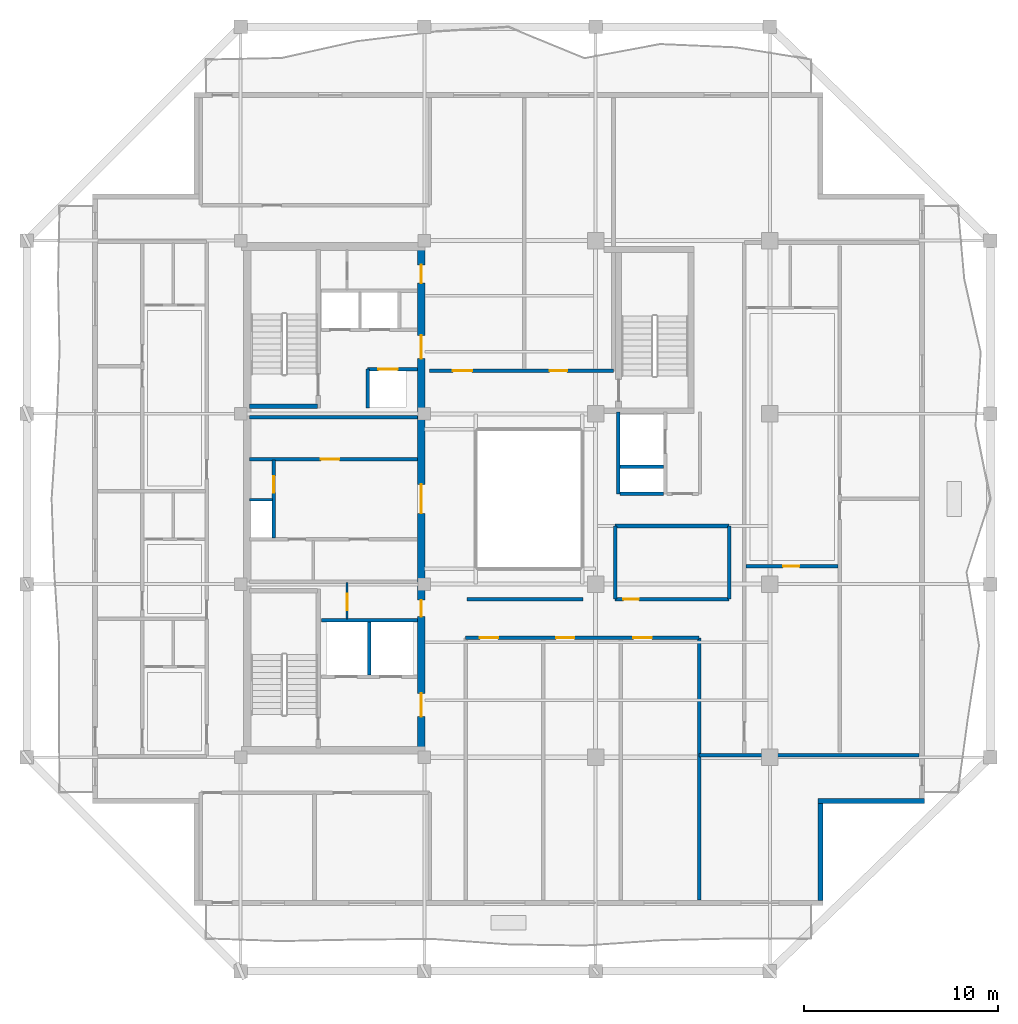
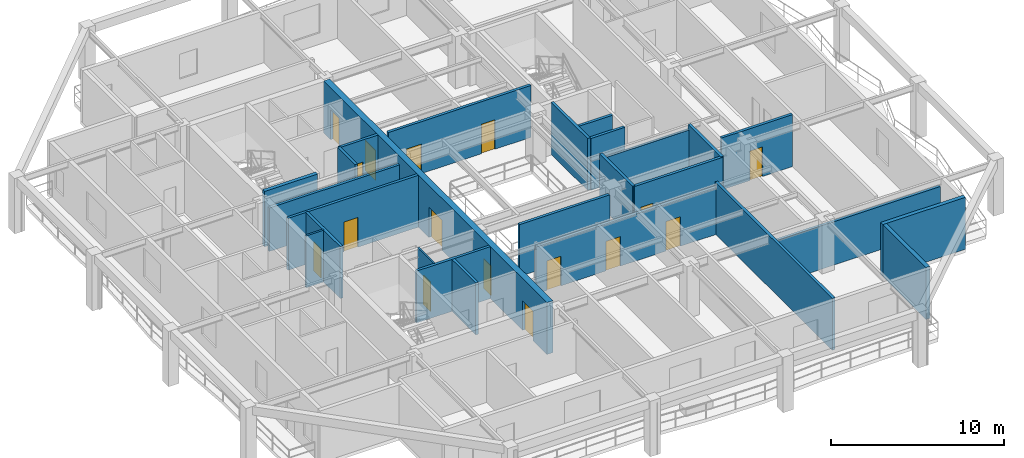
# One storey, part 4 of 11: 26 walls, 16 doors, 16 openings.
"""IFC4 building model written with IfcOpenShell, lengths in metres."""

from ifc_helpers import new_model, si_unit, direction, frame, frame_2d, origin, place, context, subcontext, project, spatial, rectangle, extrude, material, layer, layer_set, type_object, element, fill, save


model = new_model("IFC4")

# Units and contexts
model_context = context("Model", 3, precision=1e-05, world=origin(), true_north=direction((0.0, 1.0)))
body_context = subcontext(model_context, "Body", "Model", "MODEL_VIEW")
ifc_project = project(units=[si_unit("LENGTHUNIT", "METRE"), si_unit("AREAUNIT", "SQUARE_METRE"), si_unit("VOLUMEUNIT", "CUBIC_METRE"), si_unit("PLANEANGLEUNIT", "RADIAN"), si_unit("MASSUNIT", "GRAM", prefix="KILO")], contexts=[model_context])

# Site, building, storey
site_placement = place(None, origin())
site = spatial("IfcSite", under=ifc_project, at=site_placement, CompositionType="ELEMENT")
building_placement = place(site_placement, origin())
building = spatial("IfcBuilding", under=site, at=building_placement, Name="Kundavana Baori Tower", CompositionType="ELEMENT")
storey_placement = place(building_placement, frame((0.0, 0.0, 264.800048828125)))
storey = spatial("IfcBuildingStorey", under=building, at=storey_placement, Name="L65", CompositionType="ELEMENT", Elevation=264.800048828125)

# Wall, openings, doors
ifc_material_1 = material(Name="Concrete C50/60", Category="concrete")
ifc_layer_1 = layer(ifc_material_1, 0.39990234375, Name="WL-CORE-400")
ifc_layer_set_1 = layer_set([ifc_layer_1], Name="Concrete C50/60")
wall_type_1 = type_object("IfcWallType", Name="WL-CORE-400", PredefinedType="SHEAR", material=ifc_layer_set_1)
wall_1_placement = place(storey_placement, frame((24.780029296875, 15.739990234375, 0.0), z_axis=(0.0, 0.0, 1.0), x_axis=(0.0, 1.0, 0.0)))
wall_1 = element("IfcWall", 1, at=wall_1_placement, inside=storey, type_object=wall_type_1, Name="L65 Offset Core East Shear Wall", PredefinedType="SHEAR", context=body_context, shape_type="SweptSolid", body=[
    extrude(rectangle(XDim=25.760009765625, YDim=0.39990234375, at=frame_2d((12.8798828125, 0.0))), origin(), (0.0, 0.0, 1.0), 3.659912109375),
])
opening_1_placement = place(wall_1_placement, frame((1.610107421875, 0.0, 0.0)))
opening_1 = element("IfcOpeningElement", 2, at=opening_1_placement, cuts=wall_1, Name="Opening FD-120", PredefinedType="OPENING", context=body_context, shape_type="SweptSolid", body=[
    extrude(rectangle(XDim=1.199951171875, YDim=2.10009765625, at=frame_2d((0.60009765625, 1.050048828125))), frame((0.0, 0.2099609375, 0.0), z_axis=(0.0, -1.0, 0.0), x_axis=(1.0, 0.0, 0.0)), (0.0, 0.0, 1.0), 0.419921875),
])
opening_2_placement = place(wall_1_placement, frame((6.780029296875, 0.0, 0.0)))
opening_2 = element("IfcOpeningElement", 3, at=opening_2_placement, cuts=wall_1, Name="Opening FD-085", PredefinedType="OPENING", context=body_context, shape_type="SweptSolid", body=[
    extrude(rectangle(XDim=0.85009765625, YDim=2.06005859375, at=frame_2d((0.425048828125, 1.030029296875))), frame((0.0, 0.2099609375, 0.0), z_axis=(0.0, -1.0, 0.0), x_axis=(1.0, 0.0, 0.0)), (0.0, 0.0, 1.0), 0.419921875),
])
opening_3_placement = place(wall_1_placement, frame((12.110107421875, 0.0, 0.0)))
opening_3 = element("IfcOpeningElement", 4, at=opening_3_placement, cuts=wall_1, Name="Opening FD-150", PredefinedType="OPENING", context=body_context, shape_type="SweptSolid", body=[
    extrude(rectangle(XDim=1.5, YDim=2.1201171875, at=frame_2d((0.75, 1.06005859375))), frame((0.0, 0.2099609375, 0.0), z_axis=(0.0, -1.0, 0.0), x_axis=(1.0, 0.0, 0.0)), (0.0, 0.0, 1.0), 0.419921875),
])
opening_4_placement = place(wall_1_placement, frame((20.110107421875, 0.0, 0.0)))
opening_4 = element("IfcOpeningElement", 5, at=opening_4_placement, cuts=wall_1, Name="Opening FD-122", PredefinedType="OPENING", context=body_context, shape_type="SweptSolid", body=[
    extrude(rectangle(XDim=1.199951171875, YDim=2.1201171875, at=frame_2d((0.60009765625, 1.06005859375))), frame((0.0, 0.2099609375, 0.0), z_axis=(0.0, -1.0, 0.0), x_axis=(1.0, 0.0, 0.0)), (0.0, 0.0, 1.0), 0.419921875),
])
opening_5_placement = place(wall_1_placement, frame((24.010009765625, 0.0, 0.0)))
opening_5 = element("IfcOpeningElement", 6, at=opening_5_placement, cuts=wall_1, Name="Opening FD-095", PredefinedType="OPENING", context=body_context, shape_type="SweptSolid", body=[
    extrude(rectangle(XDim=0.949951171875, YDim=2.10009765625, at=frame_2d((0.47509765625, 1.050048828125))), frame((0.0, 0.2099609375, 0.0), z_axis=(0.0, -1.0, 0.0), x_axis=(1.0, 0.0, 0.0)), (0.0, 0.0, 1.0), 0.419921875),
])
ifc_material_2 = material(Name="Galvanised Steel Fire-Rated Door Leaf", Category="steel")
door_type_1 = type_object("IfcDoorType", Name="DR-FD120-1200", OperationType="NOTDEFINED", PredefinedType="DOOR", material=ifc_material_2)
door_1_placement = place(opening_1_placement, frame((1.199951171875, 0.0, 0.0), z_axis=(0.0, 0.0, 1.0), x_axis=(-1.0, 0.0, 0.0)))
door_1 = element("IfcDoor", 7, at=door_1_placement, inside=storey, type_object=door_type_1, Name="DR-L65-FFLOB-E", OperationType="SINGLE_SWING_RIGHT", OverallHeight=2.10009765625, OverallWidth=1.199951171875, PredefinedType="DOOR", context=body_context, shape_type="SweptSolid", body=[
    extrude(rectangle(XDim=1.199951171875, YDim=2.10009765625, at=frame_2d((0.60009765625, 1.050048828125))), frame((0.0, 0.02490234375, 0.0), z_axis=(0.0, -1.0, 0.0), x_axis=(1.0, 0.0, 0.0)), (0.0, 0.0, 1.0), 0.050048828125),
])
fill(opening_1, door_1)
ifc_material_3 = material(Name="Galvanised Steel Fire-Rated Door Leaf", Category="steel")
door_type_2 = type_object("IfcDoorType", Name="DR-FD60-1200", OperationType="NOTDEFINED", PredefinedType="DOOR", material=ifc_material_3)
door_2_placement = place(opening_4_placement, frame((1.199951171875, 0.0, 0.0), z_axis=(0.0, 0.0, 1.0), x_axis=(-1.0, 0.0, 0.0)))
door_2 = element("IfcDoor", 8, at=door_2_placement, inside=storey, type_object=door_type_2, Name="DR-L65-HRLOB-E", OperationType="SINGLE_SWING_RIGHT", OverallHeight=2.1201171875, OverallWidth=1.199951171875, PredefinedType="DOOR", context=body_context, shape_type="SweptSolid", body=[
    extrude(rectangle(XDim=1.199951171875, YDim=2.1201171875, at=frame_2d((0.60009765625, 1.06005859375))), frame((0.0, 0.02490234375, 0.0), z_axis=(0.0, -1.0, 0.0), x_axis=(1.0, 0.0, 0.0)), (0.0, 0.0, 1.0), 0.050048828125),
])
fill(opening_4, door_2)
ifc_material_4 = material(Name="Galvanised Steel Fire-Rated Door Leaf", Category="steel")
door_type_3 = type_object("IfcDoorType", Name="DR-FD60-1500", OperationType="NOTDEFINED", PredefinedType="DOOR", material=ifc_material_4)
door_3_placement = place(opening_3_placement, frame((1.5, 0.0, 0.0), z_axis=(0.0, 0.0, 1.0), x_axis=(-1.0, 0.0, 0.0)))
door_3 = element("IfcDoor", 9, at=door_3_placement, inside=storey, type_object=door_type_3, Name="DR-L65-LIFTHALL-E", OperationType="SINGLE_SWING_LEFT", OverallHeight=2.1201171875, OverallWidth=1.5, PredefinedType="DOOR", context=body_context, shape_type="SweptSolid", body=[
    extrude(rectangle(XDim=1.5, YDim=2.1201171875, at=frame_2d((0.75, 1.06005859375))), frame((0.0, 0.02490234375, 0.0), z_axis=(0.0, -1.0, 0.0), x_axis=(1.0, 0.0, 0.0)), (0.0, 0.0, 1.0), 0.050048828125),
])
fill(opening_3, door_3)
ifc_material_5 = material(Name="Galvanised Steel Fire-Rated Door Leaf", Category="steel")
door_type_4 = type_object("IfcDoorType", Name="DR-FD60-850", OperationType="NOTDEFINED", PredefinedType="DOOR", material=ifc_material_5)
door_4_placement = place(opening_2_placement, frame((0.85009765625, 0.0, 0.0), z_axis=(0.0, 0.0, 1.0), x_axis=(-1.0, 0.0, 0.0)))
door_4 = element("IfcDoor", 10, at=door_4_placement, inside=storey, type_object=door_type_4, Name="DR-L65-CSMK2", OperationType="SINGLE_SWING_LEFT", OverallHeight=2.06005859375, OverallWidth=0.85009765625, PredefinedType="DOOR", context=body_context, shape_type="SweptSolid", body=[
    extrude(rectangle(XDim=0.85009765625, YDim=2.06005859375, at=frame_2d((0.425048828125, 1.030029296875))), frame((0.0, 0.02490234375, 0.0), z_axis=(0.0, -1.0, 0.0), x_axis=(1.0, 0.0, 0.0)), (0.0, 0.0, 1.0), 0.050048828125),
])
fill(opening_2, door_4)
ifc_material_6 = material(Name="Engineered Teak Fire-Rated Timber Door Leaf", Category="wood")
door_type_5 = type_object("IfcDoorType", Name="DR-FD60-950", OperationType="NOTDEFINED", PredefinedType="DOOR", material=ifc_material_6)
door_5_placement = place(opening_5_placement, frame((0.949951171875, 0.0, 0.0), z_axis=(0.0, 0.0, 1.0), x_axis=(-1.0, 0.0, 0.0)))
door_5 = element("IfcDoor", 11, at=door_5_placement, inside=storey, type_object=door_type_5, Name="DR-L65-CSRV2", OperationType="SINGLE_SWING_LEFT", OverallHeight=2.10009765625, OverallWidth=0.949951171875, PredefinedType="DOOR", context=body_context, shape_type="SweptSolid", body=[
    extrude(rectangle(XDim=0.949951171875, YDim=2.10009765625, at=frame_2d((0.47509765625, 1.050048828125))), frame((0.0, 0.02490234375, 0.0), z_axis=(0.0, -1.0, 0.0), x_axis=(1.0, 0.0, 0.0)), (0.0, 0.0, 1.0), 0.050048828125),
])
fill(opening_5, door_5)

# Walls
wall_2_placement = place(storey_placement, frame((15.89990234375, 33.389892578125, 0.0), z_axis=(0.0, 0.0, 1.0), x_axis=(1.0, 0.0, 0.0)))
element("IfcWall", 12, at=wall_2_placement, inside=storey, type_object=wall_type_1, Name="WL-L65-ST2-S", PredefinedType="SHEAR", context=body_context, shape_type="SweptSolid", body=[
    extrude(rectangle(XDim=3.52001953125, YDim=0.239990234375, at=frame_2d((1.760009765625, 0.0))), origin(), (0.0, 0.0, 1.0), 3.89990234375),
])
ifc_material_7 = material(Name="Kiln-Fired Terracotta Brick-Slip Masonry on Concrete C40/50", Category="masonry")
ifc_layer_2 = layer(ifc_material_7, 0.260009765625, Name="WL-EXT-BRK-260")
ifc_layer_set_2 = layer_set([ifc_layer_2], Name="Kiln-Fired Terracotta Brick-Slip Masonry on Concrete C40/50")
wall_type_2 = type_object("IfcWallType", Name="WL-EXT-BRK-260", PredefinedType="SOLIDWALL", material=ifc_layer_set_2)
wall_3_placement = place(storey_placement, frame((45.419921875, 7.860107421875, 0.0), z_axis=(0.0, 0.0, 1.0), x_axis=(0.0, 1.0, 0.0)))
element("IfcWall", 13, at=wall_3_placement, inside=storey, type_object=wall_type_2, Name="L65 Exterior Insulated Facade Wall 02", PredefinedType="SOLIDWALL", context=body_context, shape_type="SweptSolid", body=[
    extrude(rectangle(XDim=4.989990234375, YDim=0.260009765625, at=frame_2d((2.4951171875, 0.0))), origin(), (0.0, 0.0, 1.0), 3.659912109375),
])
wall_4_placement = place(storey_placement, frame((45.2900390625, 12.97998046875, 0.0), z_axis=(0.0, 0.0, 1.0), x_axis=(1.0, 0.0, 0.0)))
element("IfcWall", 14, at=wall_4_placement, inside=storey, type_object=wall_type_2, Name="L65 Exterior Insulated Facade Wall 03", PredefinedType="SOLIDWALL", context=body_context, shape_type="SweptSolid", body=[
    extrude(rectangle(XDim=5.510009765625, YDim=0.260009765625, at=frame_2d((2.7548828125, 0.0))), origin(), (0.0, 0.0, 1.0), 3.659912109375),
])

# Wall, opening, door
ifc_material_8 = material(Name="Acoustic Gypsum Plasterboard on Galvanised Steel Studs", Category="steel")
ifc_layer_3 = layer(ifc_material_8, 0.1201171875, Name="WL-PART-120")
ifc_layer_set_3 = layer_set([ifc_layer_3], Name="Acoustic Gypsum Plasterboard on Galvanised Steel Studs")
wall_type_3 = type_object("IfcWallType", Name="WL-PART-120", PredefinedType="PARTITIONING", material=ifc_layer_set_3)
wall_5_placement = place(storey_placement, frame((20.949951171875, 22.39990234375, 0.0), z_axis=(0.0, 0.0, 1.0), x_axis=(0.0, 1.0, 0.0)))
wall_5 = element("IfcWall", 15, at=wall_5_placement, inside=storey, type_object=wall_type_3, Name="WL-L65-CSMK-D2", PredefinedType="PARTITIONING", context=body_context, shape_type="SweptSolid", body=[
    extrude(rectangle(XDim=1.880126953125, YDim=0.1201171875, at=frame_2d((0.93994140625, 0.0))), origin(), (0.0, 0.0, 1.0), 3.659912109375),
])
opening_6_placement = place(wall_5_placement, frame((0.449951171875, 0.0, 0.0)))
opening_6 = element("IfcOpeningElement", 16, at=opening_6_placement, cuts=wall_5, Name="Opening FD-085", PredefinedType="OPENING", context=body_context, shape_type="SweptSolid", body=[
    extrude(rectangle(XDim=0.85009765625, YDim=2.06005859375, at=frame_2d((0.425048828125, 1.030029296875))), frame((0.0, 0.070068359375, 0.0), z_axis=(0.0, -1.0, 0.0), x_axis=(1.0, 0.0, 0.0)), (0.0, 0.0, 1.0), 0.14013671875),
])
door_6_placement = place(opening_6_placement, origin())
door_6 = element("IfcDoor", 17, at=door_6_placement, inside=storey, type_object=door_type_4, Name="DR-L65-CSMK1", OperationType="SINGLE_SWING_RIGHT", OverallHeight=2.06005859375, OverallWidth=0.85009765625, PredefinedType="DOOR", context=body_context, shape_type="SweptSolid", body=[
    extrude(rectangle(XDim=0.85009765625, YDim=2.06005859375, at=frame_2d((0.425048828125, 1.030029296875))), frame((0.0, 0.02490234375, 0.0), z_axis=(0.0, -1.0, 0.0), x_axis=(1.0, 0.0, 0.0)), (0.0, 0.0, 1.0), 0.050048828125),
])
fill(opening_6, door_6)

# Wall
wall_6_placement = place(storey_placement, frame((15.89990234375, 28.56005859375, 0.0), z_axis=(0.0, 0.0, 1.0), x_axis=(1.0, 0.0, 0.0)))
element("IfcWall", 18, at=wall_6_placement, inside=storey, type_object=wall_type_3, Name="WL-L65-RSRW-N", PredefinedType="PARTITIONING", context=body_context, shape_type="SweptSolid", body=[
    extrude(rectangle(XDim=1.2001953125, YDim=0.1201171875, at=frame_2d((0.60009765625, 0.0))), origin(), (0.0, 0.0, 1.0), 3.659912109375),
])

# Wall, openings, doors
ifc_material_9 = material(Name="Autoclaved Aerated Concrete Blockwork Masonry", Category="masonry")
ifc_layer_4 = layer(ifc_material_9, 0.18505859375, Name="WL-PART-180")
ifc_layer_set_4 = layer_set([ifc_layer_4], Name="Autoclaved Aerated Concrete Blockwork Masonry")
wall_type_4 = type_object("IfcWallType", Name="WL-PART-180", PredefinedType="SOLIDWALL", material=ifc_layer_set_4)
wall_7_placement = place(storey_placement, frame((27.080078125, 21.419921875, 0.0), z_axis=(0.0, 0.0, 1.0), x_axis=(1.0, 0.0, 0.0)))
wall_7 = element("IfcWall", 19, at=wall_7_placement, inside=storey, type_object=wall_type_4, Name="WL-L65-RS", PredefinedType="SOLIDWALL", context=body_context, shape_type="SweptSolid", body=[
    extrude(rectangle(XDim=12.06982421875, YDim=0.18505859375, at=frame_2d((6.034912109375, 0.0))), origin(), (0.0, 0.0, 1.0), 3.31005859375),
])
opening_7_placement = place(wall_7_placement, frame((0.72998046875, 0.0, 0.0)))
opening_7 = element("IfcOpeningElement", 20, at=opening_7_placement, cuts=wall_7, Name="Opening ID-095", PredefinedType="OPENING", context=body_context, shape_type="SweptSolid", body=[
    extrude(rectangle(XDim=0.949951171875, YDim=2.080078125, at=frame_2d((0.47509765625, 1.0400390625))), frame((0.0, 0.1025390625, 0.0), z_axis=(0.0, -1.0, 0.0), x_axis=(1.0, 0.0, 0.0)), (0.0, 0.0, 1.0), 0.205078125),
])
opening_8_placement = place(wall_7_placement, frame((4.669921875, 0.0, 0.0)))
opening_8 = element("IfcOpeningElement", 21, at=opening_8_placement, cuts=wall_7, Name="Opening ID-095", PredefinedType="OPENING", context=body_context, shape_type="SweptSolid", body=[
    extrude(rectangle(XDim=0.949951171875, YDim=2.080078125, at=frame_2d((0.47509765625, 1.0400390625))), frame((0.0, 0.1025390625, 0.0), z_axis=(0.0, -1.0, 0.0), x_axis=(1.0, 0.0, 0.0)), (0.0, 0.0, 1.0), 0.205078125),
])
opening_9_placement = place(wall_7_placement, frame((8.669921875, 0.0, 0.0)))
opening_9 = element("IfcOpeningElement", 22, at=opening_9_placement, cuts=wall_7, Name="Opening ID-095", PredefinedType="OPENING", context=body_context, shape_type="SweptSolid", body=[
    extrude(rectangle(XDim=0.949951171875, YDim=2.080078125, at=frame_2d((0.47509765625, 1.0400390625))), frame((0.0, 0.1025390625, 0.0), z_axis=(0.0, -1.0, 0.0), x_axis=(1.0, 0.0, 0.0)), (0.0, 0.0, 1.0), 0.205078125),
])
ifc_material_10 = material(Name="Engineered Teak Solid-Core Timber Veneer", Category="wood")
door_type_6 = type_object("IfcDoorType", Name="DR-INT-950", OperationType="NOTDEFINED", PredefinedType="DOOR", material=ifc_material_10)
door_7_placement = place(opening_7_placement, frame((0.949951171875, 0.0, 0.0), z_axis=(0.0, 0.0, 1.0), x_axis=(-1.0, 0.0, 0.0)))
door_7 = element("IfcDoor", 23, at=door_7_placement, inside=storey, type_object=door_type_6, Name="DR-L65-RCS1", OperationType="SINGLE_SWING_RIGHT", OverallHeight=2.080078125, OverallWidth=0.949951171875, PredefinedType="DOOR", context=body_context, shape_type="SweptSolid", body=[
    extrude(rectangle(XDim=0.949951171875, YDim=2.080078125, at=frame_2d((0.47509765625, 1.0400390625))), frame((0.0, 0.02490234375, 0.0), z_axis=(0.0, -1.0, 0.0), x_axis=(1.0, 0.0, 0.0)), (0.0, 0.0, 1.0), 0.050048828125),
])
fill(opening_7, door_7)
door_8_placement = place(opening_8_placement, frame((0.949951171875, 0.0, 0.0), z_axis=(0.0, 0.0, 1.0), x_axis=(-1.0, 0.0, 0.0)))
door_8 = element("IfcDoor", 24, at=door_8_placement, inside=storey, type_object=door_type_6, Name="DR-L65-RCS2", OperationType="SINGLE_SWING_RIGHT", OverallHeight=2.080078125, OverallWidth=0.949951171875, PredefinedType="DOOR", context=body_context, shape_type="SweptSolid", body=[
    extrude(rectangle(XDim=0.949951171875, YDim=2.080078125, at=frame_2d((0.47509765625, 1.0400390625))), frame((0.0, 0.02490234375, 0.0), z_axis=(0.0, -1.0, 0.0), x_axis=(1.0, 0.0, 0.0)), (0.0, 0.0, 1.0), 0.050048828125),
])
fill(opening_8, door_8)
door_9_placement = place(opening_9_placement, frame((0.949951171875, 0.0, 0.0), z_axis=(0.0, 0.0, 1.0), x_axis=(-1.0, 0.0, 0.0)))
door_9 = element("IfcDoor", 25, at=door_9_placement, inside=storey, type_object=door_type_6, Name="DR-L65-RCS3", OperationType="SINGLE_SWING_RIGHT", OverallHeight=2.080078125, OverallWidth=0.949951171875, PredefinedType="DOOR", context=body_context, shape_type="SweptSolid", body=[
    extrude(rectangle(XDim=0.949951171875, YDim=2.080078125, at=frame_2d((0.47509765625, 1.0400390625))), frame((0.0, 0.02490234375, 0.0), z_axis=(0.0, -1.0, 0.0), x_axis=(1.0, 0.0, 0.0)), (0.0, 0.0, 1.0), 0.050048828125),
])
fill(opening_9, door_9)

# Wall
wall_8_placement = place(storey_placement, frame((27.14990234375, 23.419921875, 0.0), z_axis=(0.0, 0.0, 1.0), x_axis=(1.0, 0.0, 0.0)))
element("IfcWall", 26, at=wall_8_placement, inside=storey, type_object=wall_type_4, Name="WL-L65-RST", PredefinedType="SOLIDWALL", context=body_context, shape_type="SweptSolid", body=[
    extrude(rectangle(XDim=6.0, YDim=0.18505859375, at=frame_2d((3.0, 0.0))), origin(), (0.0, 0.0, 1.0), 3.659912109375),
])

# Wall, openings, doors
wall_9_placement = place(storey_placement, frame((25.219970703125, 35.219970703125, 0.0), z_axis=(0.0, 0.0, 1.0), x_axis=(1.0, 0.0, 0.0)))
wall_9 = element("IfcWall", 27, at=wall_9_placement, inside=storey, type_object=wall_type_4, Name="WL-L65-RN", PredefinedType="SOLIDWALL", context=body_context, shape_type="SweptSolid", body=[
    extrude(rectangle(XDim=9.5, YDim=0.18505859375, at=frame_2d((4.75, 0.0))), origin(), (0.0, 0.0, 1.0), 3.659912109375),
])
opening_10_placement = place(wall_9_placement, frame((1.199951171875, 0.0, 0.0)))
opening_10 = element("IfcOpeningElement", 28, at=opening_10_placement, cuts=wall_9, Name="Opening ID-100", PredefinedType="OPENING", context=body_context, shape_type="SweptSolid", body=[
    extrude(rectangle(XDim=1.0, YDim=2.080078125, at=frame_2d((0.5, 1.0400390625))), frame((0.0, 0.1025390625, 0.0), z_axis=(0.0, -1.0, 0.0), x_axis=(1.0, 0.0, 0.0)), (0.0, 0.0, 1.0), 0.205078125),
])
opening_11_placement = place(wall_9_placement, frame((6.199951171875, 0.0, 0.0)))
opening_11 = element("IfcOpeningElement", 29, at=opening_11_placement, cuts=wall_9, Name="Opening ID-090", PredefinedType="OPENING", context=body_context, shape_type="SweptSolid", body=[
    extrude(rectangle(XDim=0.89990234375, YDim=2.080078125, at=frame_2d((0.449951171875, 1.0400390625))), frame((0.0, 0.1025390625, 0.0), z_axis=(0.0, -1.0, 0.0), x_axis=(1.0, 0.0, 0.0)), (0.0, 0.0, 1.0), 0.205078125),
])
ifc_material_11 = material(Name="Engineered Teak Solid-Core Timber Veneer", Category="wood")
door_type_7 = type_object("IfcDoorType", Name="DR-INT-1000", OperationType="NOTDEFINED", PredefinedType="DOOR", material=ifc_material_11)
door_10_placement = place(opening_10_placement, origin())
door_10 = element("IfcDoor", 30, at=door_10_placement, inside=storey, type_object=door_type_7, Name="DR-L65-RLN1", OperationType="SINGLE_SWING_LEFT", OverallHeight=2.080078125, OverallWidth=1.0, PredefinedType="DOOR", context=body_context, shape_type="SweptSolid", body=[
    extrude(rectangle(XDim=1.0, YDim=2.080078125, at=frame_2d((0.5, 1.0400390625))), frame((0.0, 0.02490234375, 0.0), z_axis=(0.0, -1.0, 0.0), x_axis=(1.0, 0.0, 0.0)), (0.0, 0.0, 1.0), 0.050048828125),
])
fill(opening_10, door_10)
ifc_material_12 = material(Name="Engineered Teak Solid-Core Timber Veneer", Category="wood")
door_type_8 = type_object("IfcDoorType", Name="DR-INT-900", OperationType="NOTDEFINED", PredefinedType="DOOR", material=ifc_material_12)
door_11_placement = place(opening_11_placement, origin())
door_11 = element("IfcDoor", 31, at=door_11_placement, inside=storey, type_object=door_type_8, Name="DR-L65-RLN2", OperationType="SINGLE_SWING_RIGHT", OverallHeight=2.080078125, OverallWidth=0.89990234375, PredefinedType="DOOR", context=body_context, shape_type="SweptSolid", body=[
    extrude(rectangle(XDim=0.89990234375, YDim=2.080078125, at=frame_2d((0.449951171875, 1.0400390625))), frame((0.0, 0.02490234375, 0.0), z_axis=(0.0, -1.0, 0.0), x_axis=(1.0, 0.0, 0.0)), (0.0, 0.0, 1.0), 0.050048828125),
])
fill(opening_11, door_11)

# Walls
wall_10_placement = place(storey_placement, frame((39.14990234375, 7.8798828125, 0.0), z_axis=(0.0, 0.0, 1.0), x_axis=(0.0, 1.0, 0.0)))
element("IfcWall", 32, at=wall_10_placement, inside=storey, type_object=wall_type_4, Name="WL-L65-RSEND", PredefinedType="SOLIDWALL", context=body_context, shape_type="SweptSolid", body=[
    extrude(rectangle(XDim=13.5400390625, YDim=0.18505859375, at=frame_2d((6.77001953125, 0.0))), origin(), (0.0, 0.0, 1.0), 3.659912109375),
])
wall_11_placement = place(storey_placement, frame((39.14990234375, 15.35009765625, 0.0), z_axis=(0.0, 0.0, 1.0), x_axis=(1.0, 0.0, 0.0)))
element("IfcWall", 33, at=wall_11_placement, inside=storey, type_object=wall_type_4, Name="WL-L65-RES", PredefinedType="SOLIDWALL", context=body_context, shape_type="SweptSolid", body=[
    extrude(rectangle(XDim=11.3701171875, YDim=0.18505859375, at=frame_2d((5.68505859375, 0.0))), origin(), (0.0, 0.0, 1.0), 3.06005859375),
])

# Wall, opening, door
wall_12_placement = place(storey_placement, frame((41.580078125, 25.131103515625, 0.0), z_axis=(0.0, 0.0, 1.0), x_axis=(1.0, 0.0, 0.0)))
wall_12 = element("IfcWall", 34, at=wall_12_placement, inside=storey, type_object=wall_type_4, Name="WL-L65-E1-STH", PredefinedType="SOLIDWALL", context=body_context, shape_type="SweptSolid", body=[
    extrude(rectangle(XDim=4.747802734375, YDim=0.18505859375, at=frame_2d((2.3740234375, 0.0))), origin(), (0.0, 0.0, 1.0), 3.659912109375),
])
opening_12_placement = place(wall_12_placement, frame((1.89990234375, 0.0, 0.0)))
opening_12 = element("IfcOpeningElement", 35, at=opening_12_placement, cuts=wall_12, Name="Opening ID-085", PredefinedType="OPENING", context=body_context, shape_type="SweptSolid", body=[
    extrude(rectangle(XDim=0.85009765625, YDim=2.080078125, at=frame_2d((0.425048828125, 1.0400390625))), frame((0.0, 0.1025390625, 0.0), z_axis=(0.0, -1.0, 0.0), x_axis=(1.0, 0.0, 0.0)), (0.0, 0.0, 1.0), 0.205078125),
])
ifc_material_13 = material(Name="Engineered Teak Solid-Core Timber Veneer", Category="wood")
door_type_9 = type_object("IfcDoorType", Name="DR-INT-850", OperationType="NOTDEFINED", PredefinedType="DOOR", material=ifc_material_13)
door_12_placement = place(opening_12_placement, frame((0.85009765625, 0.0, 0.0), z_axis=(0.0, 0.0, 1.0), x_axis=(-1.0, 0.0, 0.0)))
door_12 = element("IfcDoor", 36, at=door_12_placement, inside=storey, type_object=door_type_9, Name="DR-L65-E1-STD", OperationType="SINGLE_SWING_LEFT", OverallHeight=2.080078125, OverallWidth=0.85009765625, PredefinedType="DOOR", context=body_context, shape_type="SweptSolid", body=[
    extrude(rectangle(XDim=0.85009765625, YDim=2.080078125, at=frame_2d((0.425048828125, 1.0400390625))), frame((0.0, 0.02490234375, 0.0), z_axis=(0.0, -1.0, 0.0), x_axis=(1.0, 0.0, 0.0)), (0.0, 0.0, 1.0), 0.050048828125),
])
fill(opening_12, door_12)

wall_13_placement = place(storey_placement, frame((34.800048828125, 23.419921875, 0.0), z_axis=(0.0, 0.0, 1.0), x_axis=(1.0, 0.0, 0.0)))
wall_13 = element("IfcWall", 37, at=wall_13_placement, inside=storey, type_object=wall_type_4, Name="WL-L65-ALS", PredefinedType="SOLIDWALL", context=body_context, shape_type="SweptSolid", body=[
    extrude(rectangle(XDim=5.89990234375, YDim=0.18505859375, at=frame_2d((2.949951171875, 0.0))), origin(), (0.0, 0.0, 1.0), 3.659912109375),
])
opening_13_placement = place(wall_13_placement, frame((0.429931640625, 0.0, 0.0)))
opening_13 = element("IfcOpeningElement", 38, at=opening_13_placement, cuts=wall_13, Name="Opening WD-080", PredefinedType="OPENING", context=body_context, shape_type="SweptSolid", body=[
    extrude(rectangle(XDim=0.800048828125, YDim=2.050048828125, at=frame_2d((0.39990234375, 1.02490234375))), frame((0.0, 0.1025390625, 0.0), z_axis=(0.0, -1.0, 0.0), x_axis=(1.0, 0.0, 0.0)), (0.0, 0.0, 1.0), 0.205078125),
])
ifc_material_14 = material(Name="Engineered Teak Solid-Core Timber Veneer", Category="wood")
door_type_10 = type_object("IfcDoorType", Name="DR-WET-800", OperationType="NOTDEFINED", PredefinedType="DOOR", material=ifc_material_14)
door_13_placement = place(opening_13_placement, origin())
door_13 = element("IfcDoor", 39, at=door_13_placement, inside=storey, type_object=door_type_10, Name="DR-L65-RALC1", OperationType="SINGLE_SWING_LEFT", OverallHeight=2.050048828125, OverallWidth=0.800048828125, PredefinedType="DOOR", context=body_context, shape_type="SweptSolid", body=[
    extrude(rectangle(XDim=0.800048828125, YDim=2.050048828125, at=frame_2d((0.39990234375, 1.02490234375))), frame((0.0, 0.02490234375, 0.0), z_axis=(0.0, -1.0, 0.0), x_axis=(1.0, 0.0, 0.0)), (0.0, 0.0, 1.0), 0.050048828125),
])
fill(opening_13, door_13)

# Walls
wall_14_placement = place(storey_placement, frame((34.800048828125, 27.199951171875, 0.0), z_axis=(0.0, 0.0, 1.0), x_axis=(1.0, 0.0, 0.0)))
element("IfcWall", 40, at=wall_14_placement, inside=storey, type_object=wall_type_4, Name="WL-L65-ALN", PredefinedType="SOLIDWALL", context=body_context, shape_type="SweptSolid", body=[
    extrude(rectangle(XDim=5.89990234375, YDim=0.18505859375, at=frame_2d((2.949951171875, 0.0))), origin(), (0.0, 0.0, 1.0), 3.31005859375),
])
for number, where, z_axis, x_axis, name in (
    (41, (34.800048828125, 23.419921875, 0.0), (0.0, 0.0, 1.0), (0.0, 1.0, 0.0), "WL-L65-ALW"),
    (42, (40.699951171875, 23.419921875, 0.0), (0.0, 0.0, 1.0), (0.0, 1.0, 0.0), "WL-L65-ALE"),
):
    element("IfcWall", number, at=place(storey_placement, frame(where, z_axis=z_axis, x_axis=x_axis)), inside=storey, type_object=wall_type_4, Name=name, PredefinedType="SOLIDWALL", context=body_context, shape_type="SweptSolid", body=[
        extrude(rectangle(XDim=3.780029296875, YDim=0.18505859375, at=frame_2d((1.89013671875, 0.0))), origin(), (0.0, 0.0, 1.0), 3.659912109375),
    ])
ifc_material_15 = material(Name="Autoclaved Aerated Concrete Blockwork Masonry", Category="masonry")
ifc_layer_5 = layer(ifc_material_15, 0.179931640625, Name="WL-SHAFT-180")
ifc_layer_set_5 = layer_set([ifc_layer_5], Name="Autoclaved Aerated Concrete Blockwork Masonry")
wall_type_5 = type_object("IfcWallType", Name="WL-SHAFT-180", PredefinedType="SOLIDWALL", material=ifc_layer_set_5)
wall_15_placement = place(storey_placement, frame((22.10009765625, 19.510009765625, 0.0), z_axis=(0.0, 0.0, 1.0), x_axis=(0.0, 1.0, 0.0)))
element("IfcWall", 43, at=wall_15_placement, inside=storey, type_object=wall_type_5, Name="WL-L65-FFL-MID", PredefinedType="SOLIDWALL", context=body_context, shape_type="SweptSolid", body=[
    extrude(rectangle(XDim=2.739990234375, YDim=0.179931640625, at=frame_2d((1.3701171875, 0.0))), origin(), (0.0, 0.0, 1.0), 3.659912109375),
])
wall_16_placement = place(storey_placement, frame((19.639892578125, 22.340087890625, 0.0), z_axis=(0.0, 0.0, 1.0), x_axis=(1.0, 0.0, 0.0)))
element("IfcWall", 44, at=wall_16_placement, inside=storey, type_object=wall_type_5, Name="WL-L65-FFL-N", PredefinedType="SOLIDWALL", context=body_context, shape_type="SweptSolid", body=[
    extrude(rectangle(XDim=4.940185546875, YDim=0.179931640625, at=frame_2d((2.47021484375, 0.0))), origin(), (0.0, 0.0, 1.0), 3.659912109375),
])

# Wall, opening, door
wall_17_placement = place(storey_placement, frame((17.159912109375, 26.580078125, 0.0), z_axis=(0.0, 0.0, 1.0), x_axis=(0.0, 1.0, 0.0)))
wall_17 = element("IfcWall", 45, at=wall_17_placement, inside=storey, type_object=wall_type_5, Name="WL-L65-RSRW-E", PredefinedType="SOLIDWALL", context=body_context, shape_type="SweptSolid", body=[
    extrude(rectangle(XDim=4.02001953125, YDim=0.179931640625, at=frame_2d((2.010009765625, 0.0))), origin(), (0.0, 0.0, 1.0), 3.659912109375),
])
opening_14_placement = place(wall_17_placement, frame((2.35009765625, 0.0, 0.0)))
opening_14 = element("IfcOpeningElement", 46, at=opening_14_placement, cuts=wall_17, Name="Opening FD-085", PredefinedType="OPENING", context=body_context, shape_type="SweptSolid", body=[
    extrude(rectangle(XDim=0.85009765625, YDim=2.06005859375, at=frame_2d((0.425048828125, 1.030029296875))), frame((0.0, 0.10009765625, 0.0), z_axis=(0.0, -1.0, 0.0), x_axis=(1.0, 0.0, 0.0)), (0.0, 0.0, 1.0), 0.199951171875),
])
door_14_placement = place(opening_14_placement, origin())
door_14 = element("IfcDoor", 47, at=door_14_placement, inside=storey, type_object=door_type_4, Name="DR-L65-CLN", OperationType="SINGLE_SWING_RIGHT", OverallHeight=2.06005859375, OverallWidth=0.85009765625, PredefinedType="DOOR", context=body_context, shape_type="SweptSolid", body=[
    extrude(rectangle(XDim=0.85009765625, YDim=2.06005859375, at=frame_2d((0.425048828125, 1.030029296875))), frame((0.0, 0.02490234375, 0.0), z_axis=(0.0, -1.0, 0.0), x_axis=(1.0, 0.0, 0.0)), (0.0, 0.0, 1.0), 0.050048828125),
])
fill(opening_14, door_14)

wall_18_placement = place(storey_placement, frame((15.89990234375, 30.639892578125, 0.0), z_axis=(0.0, 0.0, 1.0), x_axis=(1.0, 0.0, 0.0)))
wall_18 = element("IfcWall", 48, at=wall_18_placement, inside=storey, type_object=wall_type_5, Name="WL-L65-LPMID-S", PredefinedType="SOLIDWALL", context=body_context, shape_type="SweptSolid", body=[
    extrude(rectangle(XDim=8.68017578125, YDim=0.179931640625, at=frame_2d((4.340087890625, 0.0))), origin(), (0.0, 0.0, 1.0), 3.659912109375),
])
opening_15_placement = place(wall_18_placement, frame((3.699951171875, 0.0, 0.0)))
opening_15 = element("IfcOpeningElement", 49, at=opening_15_placement, cuts=wall_18, Name="Opening FD-095", PredefinedType="OPENING", context=body_context, shape_type="SweptSolid", body=[
    extrude(rectangle(XDim=0.949951171875, YDim=2.10009765625, at=frame_2d((0.47509765625, 1.050048828125))), frame((0.0, 0.10009765625, 0.0), z_axis=(0.0, -1.0, 0.0), x_axis=(1.0, 0.0, 0.0)), (0.0, 0.0, 1.0), 0.199951171875),
])
door_15_placement = place(opening_15_placement, frame((0.949951171875, 0.0, 0.0), z_axis=(0.0, 0.0, 1.0), x_axis=(-1.0, 0.0, 0.0)))
door_15 = element("IfcDoor", 50, at=door_15_placement, inside=storey, type_object=door_type_5, Name="DR-L65-FRMID1", OperationType="SINGLE_SWING_RIGHT", OverallHeight=2.10009765625, OverallWidth=0.949951171875, PredefinedType="DOOR", context=body_context, shape_type="SweptSolid", body=[
    extrude(rectangle(XDim=0.949951171875, YDim=2.10009765625, at=frame_2d((0.47509765625, 1.050048828125))), frame((0.0, 0.02490234375, 0.0), z_axis=(0.0, -1.0, 0.0), x_axis=(1.0, 0.0, 0.0)), (0.0, 0.0, 1.0), 0.050048828125),
])
fill(opening_15, door_15)

# Wall
wall_19_placement = place(storey_placement, frame((15.89990234375, 32.820068359375, 0.0), z_axis=(0.0, 0.0, 1.0), x_axis=(1.0, 0.0, 0.0)))
element("IfcWall", 51, at=wall_19_placement, inside=storey, type_object=wall_type_5, Name="WL-L65-LPMID-N", PredefinedType="SOLIDWALL", context=body_context, shape_type="SweptSolid", body=[
    extrude(rectangle(XDim=8.68017578125, YDim=0.179931640625, at=frame_2d((4.340087890625, 0.0))), origin(), (0.0, 0.0, 1.0), 3.06005859375),
])

# Wall, opening, door
wall_20_placement = place(storey_placement, frame((22.02001953125, 35.31005859375, 0.0), z_axis=(0.0, 0.0, 1.0), x_axis=(1.0, 0.0, 0.0)))
wall_20 = element("IfcWall", 52, at=wall_20_placement, inside=storey, type_object=wall_type_5, Name="WL-L65-LP11-N", PredefinedType="SOLIDWALL", context=body_context, shape_type="SweptSolid", body=[
    extrude(rectangle(XDim=2.56005859375, YDim=0.179931640625, at=frame_2d((1.280029296875, 0.0))), origin(), (0.0, 0.0, 1.0), 3.659912109375),
])
opening_16_placement = place(wall_20_placement, frame((0.550048828125, 0.0, 0.0)))
opening_16 = element("IfcOpeningElement", 53, at=opening_16_placement, cuts=wall_20, Name="Opening LD-100", PredefinedType="OPENING", context=body_context, shape_type="SweptSolid", body=[
    extrude(rectangle(XDim=1.0, YDim=2.10009765625, at=frame_2d((0.5, 1.050048828125))), frame((0.0, 0.10009765625, 0.0), z_axis=(0.0, -1.0, 0.0), x_axis=(1.0, 0.0, 0.0)), (0.0, 0.0, 1.0), 0.199951171875),
])
ifc_material_16 = material(Name="Galvanised Steel Fire-Rated Door Leaf", Category="steel")
door_type_11 = type_object("IfcDoorType", Name="DR-SLIDE-LD1000", OperationType="NOTDEFINED", PredefinedType="DOOR", material=ifc_material_16)
door_16_placement = place(opening_16_placement, origin())
door_16 = element("IfcDoor", 54, at=door_16_placement, inside=storey, type_object=door_type_11, Name="DR-L65-LD-LP11", OperationType="DOUBLE_DOOR_SLIDING", OverallHeight=2.10009765625, OverallWidth=1.0, PredefinedType="DOOR", context=body_context, shape_type="SweptSolid", body=[
    extrude(rectangle(XDim=1.0, YDim=2.10009765625, at=frame_2d((0.5, 1.050048828125))), frame((0.0, 0.02490234375, 0.0), z_axis=(0.0, -1.0, 0.0), x_axis=(1.0, 0.0, 0.0)), (0.0, 0.0, 1.0), 0.050048828125),
])
fill(opening_16, door_16)

# Walls
wall_21_placement = place(storey_placement, frame((22.02001953125, 33.300048828125, 0.0), z_axis=(0.0, 0.0, 1.0), x_axis=(0.0, 1.0, 0.0)))
element("IfcWall", 55, at=wall_21_placement, inside=storey, type_object=wall_type_5, Name="WL-L65-LP11-W", PredefinedType="SOLIDWALL", context=body_context, shape_type="SweptSolid", body=[
    extrude(rectangle(XDim=2.010009765625, YDim=0.179931640625, at=frame_2d((1.0048828125, 0.0))), origin(), (0.0, 0.0, 1.0), 3.659912109375),
])
wall_22_placement = place(storey_placement, frame((34.9599609375, 28.860107421875, 0.0), z_axis=(0.0, 0.0, 1.0), x_axis=(0.0, 1.0, 0.0)))
element("IfcWall", 56, at=wall_22_placement, inside=storey, type_object=wall_type_5, Name="WL-L65-SVL-W", PredefinedType="SOLIDWALL", context=body_context, shape_type="SweptSolid", body=[
    extrude(rectangle(XDim=4.219970703125, YDim=0.179931640625, at=frame_2d((2.10986328125, 0.0))), origin(), (0.0, 0.0, 1.0), 3.659912109375),
])
for number, where, z_axis, x_axis, name in (
    (57, (35.050048828125, 28.860107421875, 0.0), (0.0, 0.0, 1.0), (1.0, 0.0, 0.0), "WL-L65-SVL-S"),
    (58, (35.050048828125, 30.27001953125, 0.0), (0.0, 0.0, 1.0), (1.0, 0.0, 0.0), "WL-L65-SVL-M"),
):
    element("IfcWall", number, at=place(storey_placement, frame(where, z_axis=z_axis, x_axis=x_axis)), inside=storey, type_object=wall_type_5, Name=name, PredefinedType="SOLIDWALL", context=body_context, shape_type="SweptSolid", body=[
        extrude(rectangle(XDim=2.25, YDim=0.179931640625, at=frame_2d((1.125, 0.0))), origin(), (0.0, 0.0, 1.0), 3.659912109375),
    ])

save(model, "model.ifc")
